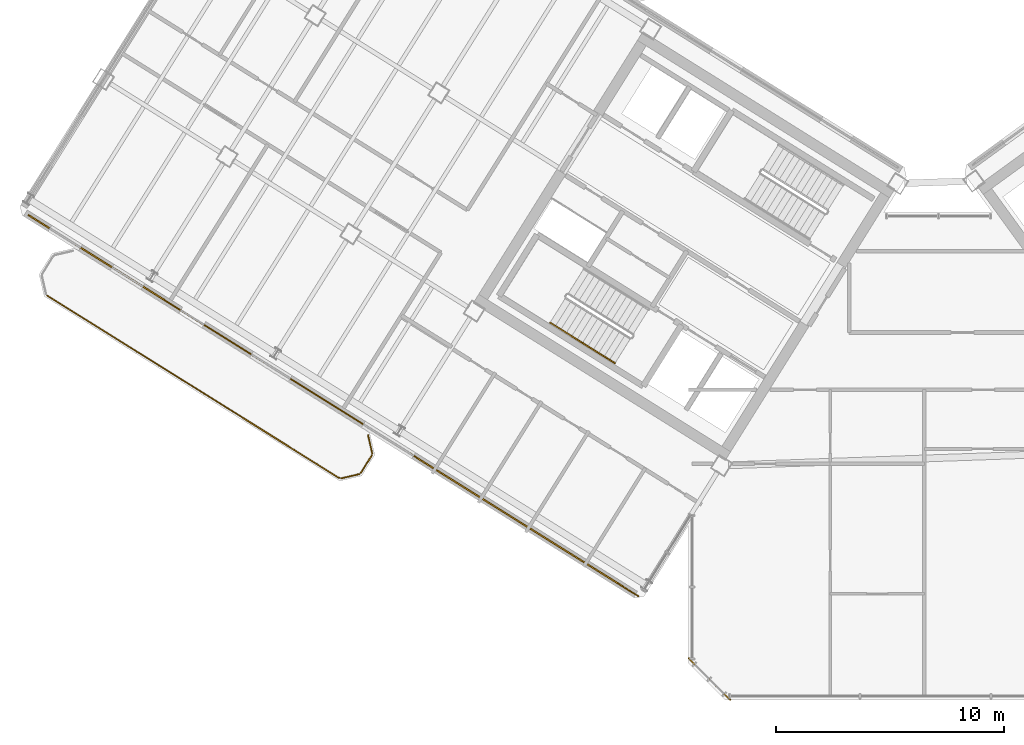
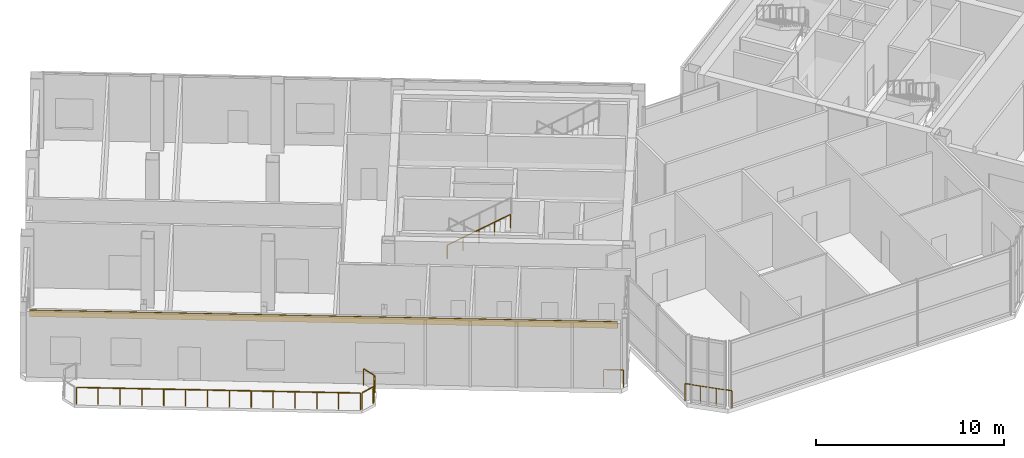
# One storey, part 21 of 27: 8 railings, 1 covering.
"""IFC4 building model written with IfcOpenShell, lengths in metres."""

from ifc_helpers import new_model, si_unit, direction, frame, origin, origin_2d, place, context, subcontext, project, spatial, rectangle, extrude, source, transform, mapped, material, layer, layer_set, type_object, element, save


model = new_model("IFC4")

# Units and contexts
model_context = context("Model", 3, precision=1e-05, world=origin(), true_north=direction((0.0, 1.0)))
body_context = subcontext(model_context, "Body", "Model", "MODEL_VIEW")
ifc_project = project(units=[si_unit("LENGTHUNIT", "METRE"), si_unit("AREAUNIT", "SQUARE_METRE"), si_unit("VOLUMEUNIT", "CUBIC_METRE"), si_unit("PLANEANGLEUNIT", "RADIAN"), si_unit("MASSUNIT", "GRAM", prefix="KILO")], contexts=[model_context])

# Site, building, storey
site_placement = place(None, origin())
site = spatial("IfcSite", under=ifc_project, at=site_placement, CompositionType="ELEMENT")
building_placement = place(site_placement, origin())
building = spatial("IfcBuilding", under=site, at=building_placement, Name="Tlacorven Tower", CompositionType="ELEMENT")
storey_placement = place(building_placement, frame((0.0, 0.0, 254.699951171875)))
storey = spatial("IfcBuildingStorey", under=building, at=storey_placement, Name="L64", CompositionType="ELEMENT", Elevation=254.699951171875)

# Railings
ifc_material_1 = material(Name="Aluminium and painted steel balustrade", Category="steel")
railing_type_1 = type_object("IfcRailingType", Name="RL-BAL-1100", PredefinedType="BALUSTRADE", material=ifc_material_1)
shared_shape_1 = source(origin(), body_context, "Body", "SweptSolid", [
    extrude(rectangle(XDim=0.048095703125, YDim=0.048095703125, at=origin_2d()), frame((0.0, 0.0, 1.076171875), z_axis=(0.225058334816, -0.974345290916, 0.0), x_axis=(0.974345290916, 0.225058334816, 0.0)), (0.0, 0.0, 1.0), 0.80712890625),
    extrude(rectangle(XDim=0.0419921875, YDim=0.0419921875, at=origin_2d()), origin(), (0.0, 0.0, 1.0), 1.052001953125),
    extrude(rectangle(XDim=0.0419921875, YDim=0.0419921875, at=origin_2d()), frame((0.181640625, -0.786376953125, 0.0)), (0.0, 0.0, 1.0), 1.052001953125),
])
railing_1_placement = place(storey_placement, frame((17.5244140625, 13.413330078125, 0.0)))
element("IfcRailing", 1, at=railing_1_placement, inside=storey, type_object=railing_type_1, Name="BAL-L64-W-OUT Guard Railing 1", PredefinedType="BALUSTRADE", context=body_context, shape_type="MappedRepresentation", body=[
    mapped(shared_shape_1, transform((0.0, 0.0, 0.0), scale=1.0)),
])
shared_shape_2 = source(origin(), body_context, "Body", "SweptSolid", [
    extrude(rectangle(XDim=0.048095703125, YDim=0.048095703125, at=origin_2d()), frame((0.0, 0.0, 1.076171875), z_axis=(-0.52987865805, -0.848073468364, 0.0), x_axis=(0.848073468364, -0.52987865805, 0.0)), (0.0, 0.0, 1.0), 0.912353515625),
    extrude(rectangle(XDim=0.0419921875, YDim=0.0419921875, at=origin_2d()), origin(), (0.0, 0.0, 1.0), 1.052001953125),
    extrude(rectangle(XDim=0.0419921875, YDim=0.0419921875, at=origin_2d()), frame((-0.4833984375, -0.773681640625, 0.0)), (0.0, 0.0, 1.0), 1.052001953125),
])
railing_2_placement = place(storey_placement, frame((17.690673828125, 12.535888671875, 0.0)))
element("IfcRailing", 2, at=railing_2_placement, inside=storey, type_object=railing_type_1, Name="BAL-L64-W-OUT Guard Railing 2", PredefinedType="BALUSTRADE", context=body_context, shape_type="MappedRepresentation", body=[
    mapped(shared_shape_2, transform((0.0, 0.0, 0.0), scale=1.0)),
])
shared_shape_3 = source(origin(), body_context, "Body", "SweptSolid", [
    extrude(rectangle(XDim=0.048095703125, YDim=0.048095703125, at=origin_2d()), frame((0.0, 0.0, 1.076171875), z_axis=(-0.974411586182, -0.224771129628, 0.0), x_axis=(0.224771129628, -0.974411586182, 0.0)), (0.0, 0.0, 1.0), 0.80712890625),
    extrude(rectangle(XDim=0.0419921875, YDim=0.0419921875, at=origin_2d()), origin(), (0.0, 0.0, 1.0), 1.052001953125),
    extrude(rectangle(XDim=0.0419921875, YDim=0.0419921875, at=origin_2d()), frame((-0.786376953125, -0.181396484375, 0.0)), (0.0, 0.0, 1.0), 1.052001953125),
])
railing_3_placement = place(storey_placement, frame((17.132080078125, 11.70849609375, 0.0)))
element("IfcRailing", 3, at=railing_3_placement, inside=storey, type_object=railing_type_1, Name="BAL-L64-W-OUT Guard Railing 3", PredefinedType="BALUSTRADE", context=body_context, shape_type="MappedRepresentation", body=[
    mapped(shared_shape_3, transform((0.0, 0.0, 0.0), scale=1.0)),
])
shared_shape_4 = source(origin(), body_context, "Body", "SweptSolid", [
    extrude(rectangle(XDim=0.048095703125, YDim=0.048095703125, at=origin_2d()), frame((0.0, 0.0, 1.076171875), z_axis=(-0.848044572804, 0.529924902733, 0.0), x_axis=(-0.529924902733, -0.848044572804, 0.0)), (0.0, 0.0, 1.0), 15.1171875),
    extrude(rectangle(XDim=0.0419921875, YDim=0.0419921875, at=origin_2d()), origin(), (0.0, 0.0, 1.0), 1.052001953125),
    extrude(rectangle(XDim=0.0419921875, YDim=0.0419921875, at=origin_2d()), frame((-0.986083984375, 0.6162109375, 0.0)), (0.0, 0.0, 1.0), 1.052001953125),
    extrude(rectangle(XDim=0.0419921875, YDim=0.0419921875, at=origin_2d()), frame((-1.972412109375, 1.232421875, 0.0)), (0.0, 0.0, 1.0), 1.052001953125),
    extrude(rectangle(XDim=0.0419921875, YDim=0.0419921875, at=origin_2d()), frame((-2.95849609375, 1.8486328125, 0.0)), (0.0, 0.0, 1.0), 1.052001953125),
    extrude(rectangle(XDim=0.0419921875, YDim=0.0419921875, at=origin_2d()), frame((-3.944580078125, 2.46484375, 0.0)), (0.0, 0.0, 1.0), 1.052001953125),
    extrude(rectangle(XDim=0.0419921875, YDim=0.0419921875, at=origin_2d()), frame((-4.930908203125, 3.0810546875, 0.0)), (0.0, 0.0, 1.0), 1.052001953125),
    extrude(rectangle(XDim=0.0419921875, YDim=0.0419921875, at=origin_2d()), frame((-5.9169921875, 3.697265625, 0.0)), (0.0, 0.0, 1.0), 1.052001953125),
    extrude(rectangle(XDim=0.0419921875, YDim=0.0419921875, at=origin_2d()), frame((-6.903076171875, 4.313720703125, 0.0)), (0.0, 0.0, 1.0), 1.052001953125),
    extrude(rectangle(XDim=0.0419921875, YDim=0.0419921875, at=origin_2d()), frame((-7.88916015625, 4.929931640625, 0.0)), (0.0, 0.0, 1.0), 1.052001953125),
    extrude(rectangle(XDim=0.0419921875, YDim=0.0419921875, at=origin_2d()), frame((-8.87548828125, 5.546142578125, 0.0)), (0.0, 0.0, 1.0), 1.052001953125),
    extrude(rectangle(XDim=0.0419921875, YDim=0.0419921875, at=origin_2d()), frame((-9.861572265625, 6.162353515625, 0.0)), (0.0, 0.0, 1.0), 1.052001953125),
    extrude(rectangle(XDim=0.0419921875, YDim=0.0419921875, at=origin_2d()), frame((-10.84765625, 6.778564453125, 0.0)), (0.0, 0.0, 1.0), 1.052001953125),
    extrude(rectangle(XDim=0.0419921875, YDim=0.0419921875, at=origin_2d()), frame((-11.833984375, 7.394775390625, 0.0)), (0.0, 0.0, 1.0), 1.052001953125),
    extrude(rectangle(XDim=0.0419921875, YDim=0.0419921875, at=origin_2d()), frame((-12.820068359375, 8.010986328125, 0.0)), (0.0, 0.0, 1.0), 1.052001953125),
])
railing_4_placement = place(storey_placement, frame((16.254638671875, 11.542236328125, 0.0)))
element("IfcRailing", 4, at=railing_4_placement, inside=storey, type_object=railing_type_1, Name="BAL-L64-W-OUT Guard Railing 4", PredefinedType="BALUSTRADE", context=body_context, shape_type="MappedRepresentation", body=[
    mapped(shared_shape_4, transform((0.0, 0.0, 0.0), scale=1.0)),
])
railing_type_2 = type_object("IfcRailingType", Name="RL-GRD-1150", PredefinedType="GUARDRAIL", material=ifc_material_1)
shared_shape_5 = source(origin(), body_context, "Body", "SweptSolid", [
    extrude(rectangle(XDim=0.048095703125, YDim=0.048095703125, at=origin_2d()), frame((0.0, 0.0, 1.1259765625), z_axis=(-0.707106781187, 0.707106781187, 0.0), x_axis=(-0.707106781187, -0.707106781187, 0.0)), (0.0, 0.0, 1.0), 2.590087890625),
    extrude(rectangle(XDim=0.0419921875, YDim=0.0419921875, at=origin_2d()), origin(), (0.0, 0.0, 1.0), 1.101806640625),
    extrude(rectangle(XDim=0.0419921875, YDim=0.0419921875, at=origin_2d()), frame((-0.610595703125, 0.610595703125, 0.0)), (0.0, 0.0, 1.0), 1.101806640625),
    extrude(rectangle(XDim=0.0419921875, YDim=0.0419921875, at=origin_2d()), frame((-1.220947265625, 1.220947265625, 0.0)), (0.0, 0.0, 1.0), 1.101806640625),
    extrude(rectangle(XDim=0.0419921875, YDim=0.0419921875, at=origin_2d()), frame((-1.83154296875, 1.83154296875, 0.0)), (0.0, 0.0, 1.0), 1.101806640625),
])
railing_5_placement = place(storey_placement, frame((33.428955078125, 1.79736328125, 0.0)))
element("IfcRailing", 5, at=railing_5_placement, inside=storey, type_object=railing_type_2, Name="L64 Knuckle Glazed Sill Guard 1", PredefinedType="GUARDRAIL", context=body_context, shape_type="MappedRepresentation", body=[
    mapped(shared_shape_5, transform((0.0, 0.0, 0.0), scale=1.0)),
])
shared_shape_6 = source(origin(), body_context, "Body", "SweptSolid", [
    extrude(rectangle(XDim=0.048095703125, YDim=0.048095703125, at=origin_2d()), frame((0.0, 0.0, 1.1259765625), z_axis=(-0.848102774857, 0.529831749973, 0.0), x_axis=(-0.529831749973, -0.848102774857, 0.0)), (0.0, 0.0, 1.0), 1.050048828125),
    extrude(rectangle(XDim=0.0419921875, YDim=0.0419921875, at=origin_2d()), origin(), (0.0, 0.0, 1.0), 1.101806640625),
    extrude(rectangle(XDim=0.0419921875, YDim=0.0419921875, at=origin_2d()), frame((-0.890625, 0.556396484375, 0.0)), (0.0, 0.0, 1.0), 1.101806640625),
])
railing_6_placement = place(storey_placement, frame((29.39501953125, 6.35009765625, 0.0)))
element("IfcRailing", 6, at=railing_6_placement, inside=storey, type_object=railing_type_2, Name="L64 Knuckle Glazed Sill Guard 2", PredefinedType="GUARDRAIL", context=body_context, shape_type="MappedRepresentation", body=[
    mapped(shared_shape_6, transform((0.0, 0.0, 0.0), scale=1.0)),
])

# Covering
ifc_material_2 = material(Name="Precast concrete C45/55", Category="concrete")
ifc_layer = layer(ifc_material_2, 0.06005859375)
ifc_layer_set = layer_set([ifc_layer], Name="Precast concrete C45/55")
covering_type = type_object("IfcCoveringType", Name="CV-CLD-TERC", PredefinedType="CLADDING", material=ifc_layer_set)
shared_shape_7 = source(origin(), body_context, "Body", "SweptSolid", [
    extrude(rectangle(XDim=31.287353515625, YDim=0.06005859375, at=origin_2d()), origin(), (0.0, 0.0, 1.0), 0.419921875),
])
covering_placement = place(storey_placement, frame((15.8740234375, 14.798828125, 3.830078125), z_axis=(0.0, 0.0, 1.0), x_axis=(-0.84804812172, 0.529919223323, 0.0)))
element("IfcCovering", 7, at=covering_placement, inside=storey, type_object=covering_type, Name="L64 Masonry-Frame Spandrel Cladding 1", PredefinedType="CLADDING", context=body_context, shape_type="MappedRepresentation", body=[
    mapped(shared_shape_7, transform((0.0, 0.0, 0.0), scale=1.0)),
])

# Railings
railing_type_3 = type_object("IfcRailingType", Name="RL-HND-0900", PredefinedType="HANDRAIL", material=ifc_material_1)
shared_shape_8 = source(origin(), body_context, "Body", "SweptSolid", [
    extrude(rectangle(XDim=0.048095703125, YDim=0.048095703125, at=origin_2d()), frame((0.0, 0.0, 0.8759765625), z_axis=(0.721340775611, -0.4507761838, 0.52580254617), x_axis=(0.529946692594, 0.848030956397, 0.0)), (0.0, 0.0, 1.0), 1.97509765625),
    extrude(rectangle(XDim=0.0419921875, YDim=0.0419921875, at=origin_2d()), origin(), (0.0, 0.0, 1.0), 0.851806640625),
    extrude(rectangle(XDim=0.0419921875, YDim=0.0419921875, at=origin_2d()), frame((0.71240234375, -0.4453125, 0.519287109375)), (0.0, 0.0, 1.0), 0.851806640625),
    extrude(rectangle(XDim=0.0419921875, YDim=0.0419921875, at=origin_2d()), frame((1.4248046875, -0.890380859375, 1.03857421875)), (0.0, 0.0, 1.0), 0.851806640625),
])
railing_7_placement = place(storey_placement, frame((25.516357421875, 18.3603515625, 2.423095703125)))
element("IfcRailing", 8, at=railing_7_placement, inside=storey, type_object=railing_type_3, Name="L64 ST-W1 stair handrail 3", PredefinedType="HANDRAIL", context=body_context, shape_type="MappedRepresentation", body=[
    mapped(shared_shape_8, transform((0.0, 0.0, 0.0), scale=1.0)),
])
shared_shape_9 = source(origin(), body_context, "Body", "SweptSolid", [
    extrude(rectangle(XDim=0.048095703125, YDim=0.048095703125, at=origin_2d()), frame((0.0, 0.0, 0.8759765625), z_axis=(0.72136856386, -0.450747178035, 0.525789289134), x_axis=(0.529907487405, 0.848055455022, 0.0)), (0.0, 0.0, 1.0), 1.974853515625),
    extrude(rectangle(XDim=0.0419921875, YDim=0.0419921875, at=origin_2d()), origin(), (0.0, 0.0, 1.0), 0.851806640625),
    extrude(rectangle(XDim=0.0419921875, YDim=0.0419921875, at=origin_2d()), frame((0.71240234375, -0.445068359375, 0.51904296875)), (0.0, 0.0, 1.0), 0.851806640625),
    extrude(rectangle(XDim=0.0419921875, YDim=0.0419921875, at=origin_2d()), frame((1.424560546875, -0.89013671875, 1.038330078125)), (0.0, 0.0, 1.0), 0.851806640625),
])
railing_8_placement = place(storey_placement, frame((26.941162109375, 17.469970703125, 3.461669921875)))
element("IfcRailing", 9, at=railing_8_placement, inside=storey, type_object=railing_type_3, Name="L64 ST-W1 stair handrail 4", PredefinedType="HANDRAIL", context=body_context, shape_type="MappedRepresentation", body=[
    mapped(shared_shape_9, transform((0.0, 0.0, 0.0), scale=1.0)),
])

save(model, "model.ifc")
